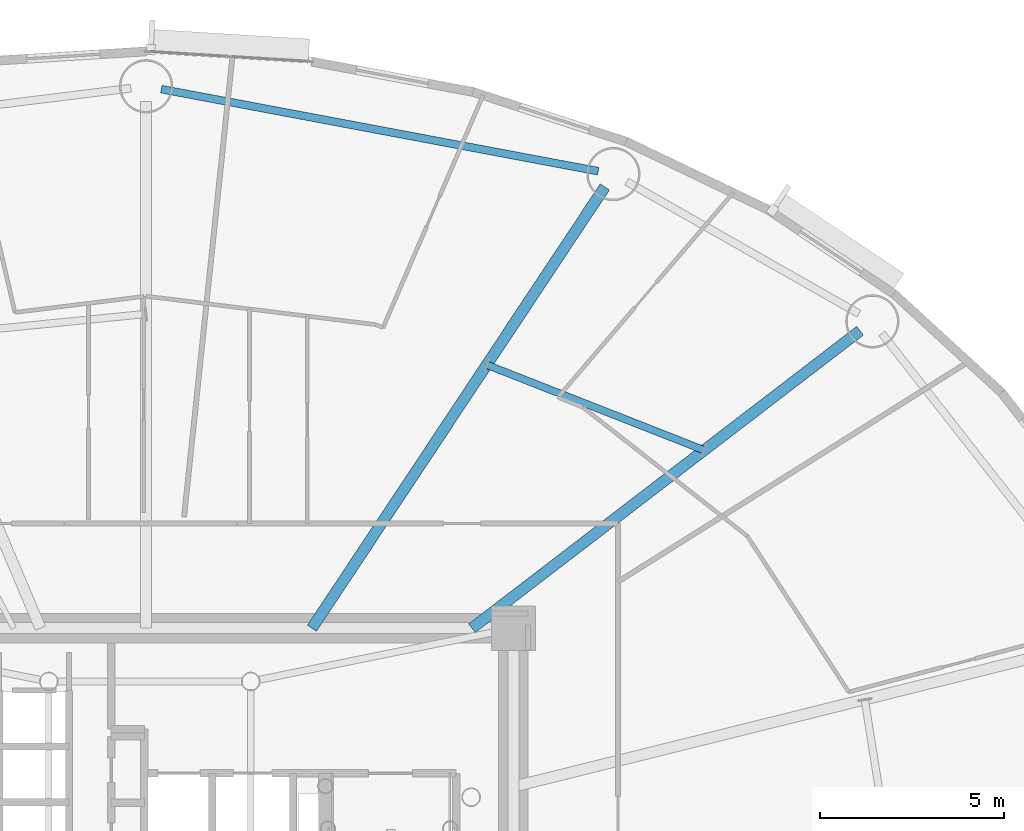
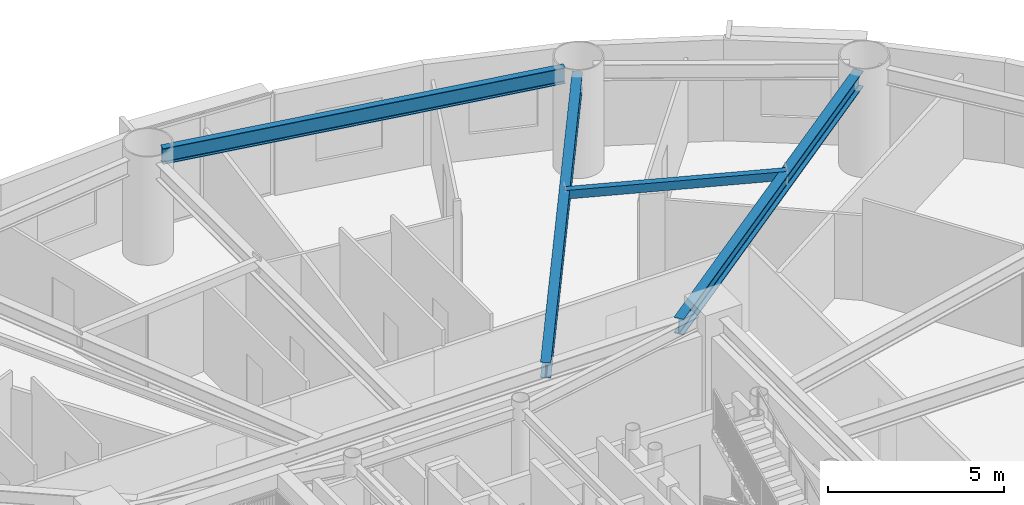
# One storey, part 5 of 21: 4 beams.
"""IFC4 building model written with IfcOpenShell, lengths in metres."""

from ifc_helpers import new_model, si_unit, direction, frame, origin, origin_2d, place, context, subcontext, project, spatial, hollow_rectangle, i_section, extrude, material, material_profile, profile_set, type_object, element, save


model = new_model("IFC4")

# Units and contexts
model_context = context("Model", 3, precision=1e-05, world=origin(), true_north=direction((0.0, 1.0)))
body_context = subcontext(model_context, "Body", "Model", "MODEL_VIEW")
ifc_project = project(units=[si_unit("LENGTHUNIT", "METRE"), si_unit("AREAUNIT", "SQUARE_METRE"), si_unit("VOLUMEUNIT", "CUBIC_METRE"), si_unit("PLANEANGLEUNIT", "RADIAN"), si_unit("MASSUNIT", "GRAM", prefix="KILO")], contexts=[model_context])

# Site, building, storey
site_placement = place(None, origin())
site = spatial("IfcSite", under=ifc_project, at=site_placement, CompositionType="ELEMENT")
building_placement = place(site_placement, origin())
building = spatial("IfcBuilding", under=site, at=building_placement, Name="Linh Dai School and Residence Tower", CompositionType="ELEMENT")
storey_placement = place(building_placement, frame((0.0, 0.0, 115.949951171875)))
storey = spatial("IfcBuildingStorey", under=building, at=storey_placement, Name="L27", CompositionType="ELEMENT", Elevation=115.949951171875)

# Beams
ifc_material = material(Name="Structural Steel S355JR", Category="steel")
ifc_material_profile_1 = material_profile(ifc_material, hollow_rectangle(XDim=0.199951171875, YDim=0.300048828125, WallThickness=0.010009765625, at=origin_2d()), Name="RHS 300x200x10")
ifc_profile_set_1 = profile_set([ifc_material_profile_1], Name="Structural Steel S355JR")
beam_type_1 = type_object("IfcBeamType", Name="BM-BX3", PredefinedType="BEAM", material=ifc_profile_set_1)
beam_1_placement = place(storey_placement, frame((51.189453125, 38.64794921875, 3.35009765625), z_axis=(-0.930742146732, 0.365676163151, 0.0), x_axis=(-0.365676163151, -0.930742146732, 0.0)))
element("IfcBeam", 1, at=beam_1_placement, inside=storey, type_object=beam_type_1, Name="L27 Secondary Circumferential Floor Beam 02", PredefinedType="BEAM", context=body_context, shape_type="SweptSolid", body=[
    extrude(hollow_rectangle(XDim=0.199951171875, YDim=0.300048828125, WallThickness=0.010009765625, at=origin_2d()), origin(), (0.0, 0.0, 1.0), 6.349853515625),
])
ifc_material_profile_2 = material_profile(ifc_material, i_section(OverallWidth=0.2099609375, OverallDepth=0.550048828125, WebThickness=0.010986328125, FlangeThickness=0.01708984375, FilletRadius=0.02392578125, at=origin_2d()), Name="IPE 550")
ifc_profile_set_2 = profile_set([ifc_material_profile_2], Name="Structural Steel S355JR")
beam_type_2 = type_object("IfcBeamType", Name="BM-RB55", PredefinedType="BEAM", material=ifc_profile_set_2)
beam_2_placement = place(storey_placement, frame((48.30908203125, 46.24267578125, 3.22509765625), z_axis=(-0.982807507457, 0.184633158685, 0.0), x_axis=(-0.184633158685, -0.982807507457, 0.0)))
element("IfcBeam", 2, at=beam_2_placement, inside=storey, type_object=beam_type_2, Name="L27 Perimeter Elliptical Ring Beam 04", PredefinedType="BEAM", context=body_context, shape_type="SweptSolid", body=[
    extrude(i_section(OverallWidth=0.2099609375, OverallDepth=0.550048828125, WebThickness=0.010986328125, FlangeThickness=0.01708984375, FilletRadius=0.02392578125, at=origin_2d()), origin(), (0.0, 0.0, 1.0), 12.104248046875),
])
ifc_material_profile_3 = material_profile(ifc_material, i_section(OverallWidth=0.300048828125, OverallDepth=0.550048828125, WebThickness=0.014892578125, FlangeThickness=0.029052734375, FilletRadius=0.027099609375, at=origin_2d()), Name="HEB 550")
ifc_profile_set_3 = profile_set([ifc_material_profile_3], Name="Structural Steel S355JR")
beam_type_3 = type_object("IfcBeamType", Name="BM-RG55", PredefinedType="BEAM", material=ifc_profile_set_3)
beam_3_placement = place(storey_placement, frame((44.87158203125, 33.800048828125, 3.22509765625), z_axis=(0.793678660795, 0.608337228352, 0.0), x_axis=(-0.608337228352, 0.793678660795, 0.0)))
element("IfcBeam", 3, at=beam_3_placement, inside=storey, type_object=beam_type_3, Name="L27 Primary Radial Floor Girder 03", PredefinedType="BEAM", context=body_context, shape_type="SweptSolid", body=[
    extrude(i_section(OverallWidth=0.300048828125, OverallDepth=0.550048828125, WebThickness=0.014892578125, FlangeThickness=0.029052734375, FilletRadius=0.027099609375, at=origin_2d()), origin(), (0.0, 0.0, 1.0), 13.314697265625),
])
beam_4_placement = place(storey_placement, frame((40.513916015625, 33.800048828125, 3.22509765625), z_axis=(0.553054392401, 0.833145148846, 0.0), x_axis=(-0.833145148846, 0.553054392401, 0.0)))
element("IfcBeam", 4, at=beam_4_placement, inside=storey, type_object=beam_type_3, Name="L27 Primary Radial Floor Girder 04", PredefinedType="BEAM", context=body_context, shape_type="SweptSolid", body=[
    extrude(i_section(OverallWidth=0.300048828125, OverallDepth=0.550048828125, WebThickness=0.014892578125, FlangeThickness=0.029052734375, FilletRadius=0.027099609375, at=origin_2d()), origin(), (0.0, 0.0, 1.0), 14.42138671875),
])

save(model, "model.ifc")
